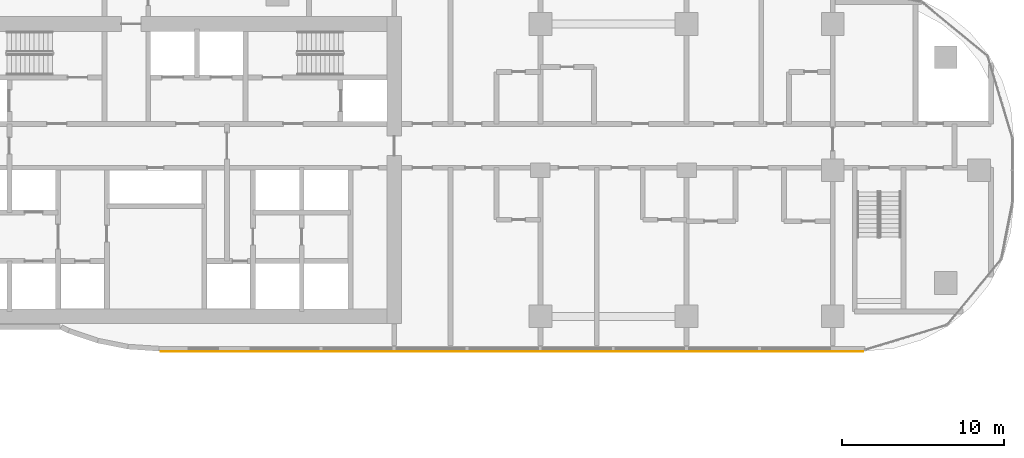
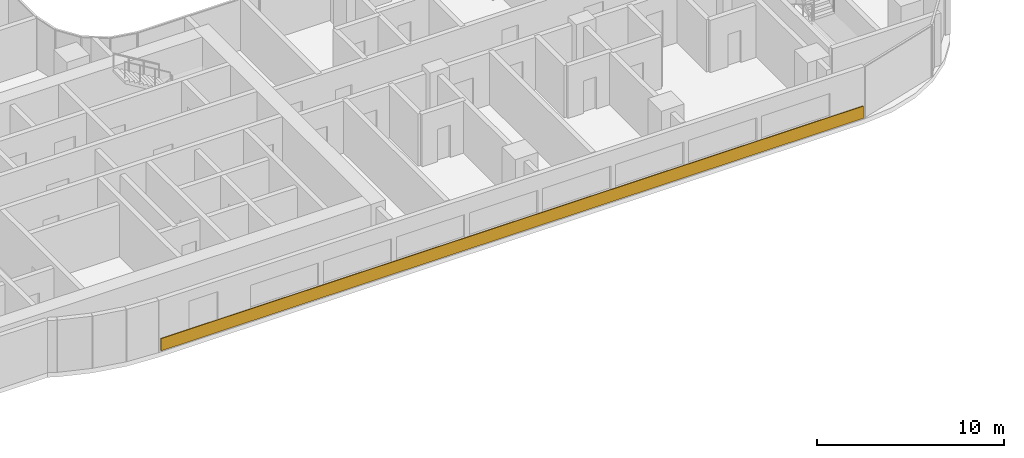
# One storey, part 28 of 32: 1 covering.
"""IFC4 building model written with IfcOpenShell, lengths in metres."""

from ifc_helpers import new_model, si_unit, direction, frame, origin, origin_2d, place, context, subcontext, project, spatial, rectangle, extrude, material, layer, layer_set, type_object, element, save


model = new_model("IFC4")

# Units and contexts
model_context = context("Model", 3, precision=1e-05, world=origin(), true_north=direction((0.0, 1.0)))
body_context = subcontext(model_context, "Body", "Model", "MODEL_VIEW")
ifc_project = project(units=[si_unit("LENGTHUNIT", "METRE"), si_unit("AREAUNIT", "SQUARE_METRE"), si_unit("VOLUMEUNIT", "CUBIC_METRE"), si_unit("PLANEANGLEUNIT", "RADIAN"), si_unit("MASSUNIT", "GRAM", prefix="KILO")], contexts=[model_context])

# Site, building, storey
site_placement = place(None, origin())
site = spatial("IfcSite", under=ifc_project, at=site_placement, CompositionType="ELEMENT")
building_placement = place(site_placement, origin())
building = spatial("IfcBuilding", under=site, at=building_placement, Name="Ogive Portal Towers", CompositionType="ELEMENT")
storey_placement = place(building_placement, frame((0.0, 0.0, 55.699951171875)))
storey = spatial("IfcBuildingStorey", under=building, at=storey_placement, Name="L12", CompositionType="ELEMENT", Elevation=55.699951171875)

# Covering
ifc_material = material(Name="Limestone cladding on lightweight block wall", Category="masonry")
ifc_layer = layer(ifc_material, 0.050048828125)
ifc_layer_set = layer_set([ifc_layer], Name="SCREEN PERFORATED STONE")
covering_type = type_object("IfcCoveringType", Name="SCREEN PERFORATED STONE", PredefinedType="CLADDING", material=ifc_layer_set)
covering_placement = place(storey_placement, frame((65.7490234375, 19.330078125, 0.10009765625), z_axis=(0.0, 0.0, 1.0), x_axis=(1.0, 0.0, 0.0)))
element("IfcCovering", 1, at=covering_placement, inside=storey, type_object=covering_type, Name="Tracery screen", PredefinedType="CLADDING", context=body_context, shape_type="SweptSolid", body=[
    extrude(rectangle(XDim=43.2783203125, YDim=0.050048828125, at=origin_2d()), origin(), (0.0, 0.0, 1.0), 0.800048828125),
])

save(model, "model.ifc")
